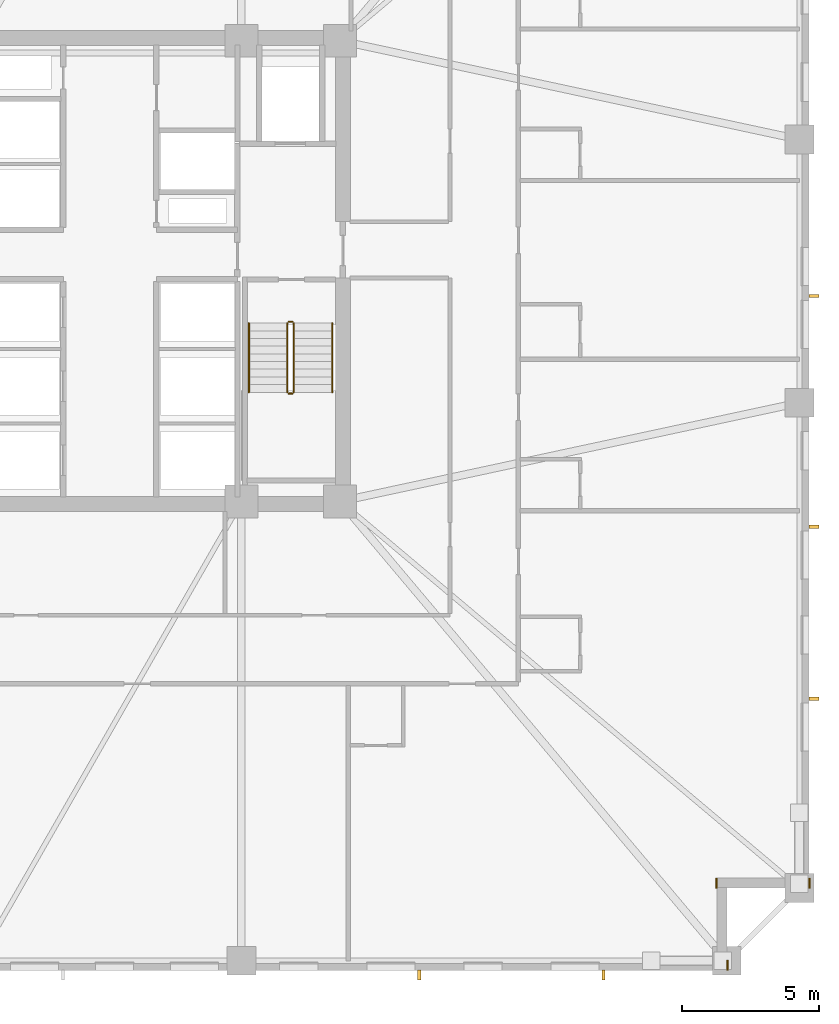
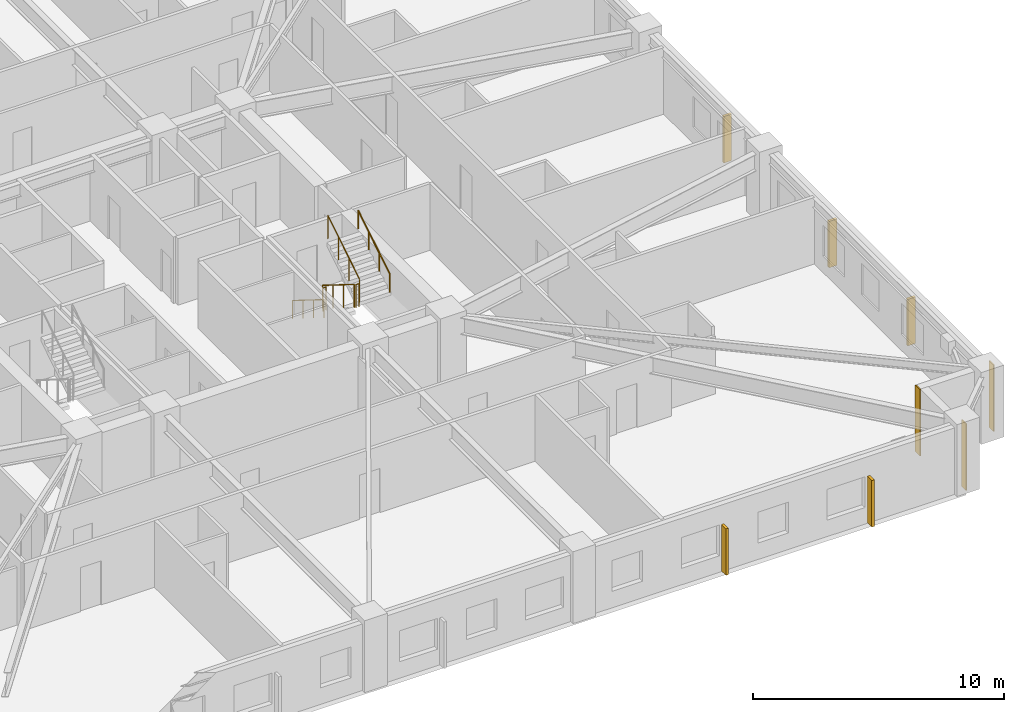
# One storey, part 9 of 11: 6 railings, 5 shading devices, 3 coverings.
"""IFC4 building model written with IfcOpenShell, lengths in metres."""

from ifc_helpers import new_model, si_unit, direction, frame, frame_2d, origin, origin_2d, place, context, subcontext, project, spatial, rectangle, circle, extrude, material, layer, layer_set, type_object, element, save


model = new_model("IFC4")

# Units and contexts
model_context = context("Model", 3, precision=1e-05, world=origin(), true_north=direction((0.0, 1.0)))
body_context = subcontext(model_context, "Body", "Model", "MODEL_VIEW")
ifc_project = project(units=[si_unit("LENGTHUNIT", "METRE"), si_unit("AREAUNIT", "SQUARE_METRE"), si_unit("VOLUMEUNIT", "CUBIC_METRE"), si_unit("PLANEANGLEUNIT", "RADIAN"), si_unit("MASSUNIT", "GRAM", prefix="KILO")], contexts=[model_context])

# Site, building, storey
site_placement = place(None, origin())
site = spatial("IfcSite", under=ifc_project, at=site_placement, CompositionType="ELEMENT")
building_placement = place(site_placement, origin())
building = spatial("IfcBuilding", under=site, at=building_placement, Name="Cairnveth Concourse Tower", CompositionType="ELEMENT")
storey_placement = place(building_placement, frame((0.0, 0.0, 93.5)))
storey = spatial("IfcBuildingStorey", under=building, at=storey_placement, Name="L25", CompositionType="ELEMENT", Elevation=93.5)

# Coverings
ifc_material_1 = material(Name="Dressed Melbourne Bluestone Cladding", Category="masonry")
ifc_layer = layer(ifc_material_1, 0.050048828125)
ifc_layer_set = layer_set([ifc_layer], Name="Dressed Melbourne Bluestone Cladding")
covering_type = type_object("IfcCoveringType", Name="DRESSED BLUESTONE PLINTH CLADDING 50", PredefinedType="CLADDING", material=ifc_layer_set)
for number, where, z_axis, x_axis, name in (
    (1, (77.52001953125, 16.860107421875, 0.0), (0.0, 0.0, 1.0), (0.0, -1.0, 0.0), "Melbourne Bluestone Corner Quoin L25-347"),
    (2, (74.1201171875, 16.860107421875, 0.0), (0.0, 0.0, 1.0), (0.0, -1.0, 0.0), "Melbourne Bluestone Corner Quoin L25-348"),
    (3, (74.52001953125, 13.860107421875, 0.0), (0.0, 0.0, 1.0), (0.0, -1.0, 0.0), "Melbourne Bluestone Corner Quoin L25-349"),
):
    element("IfcCovering", number, at=place(storey_placement, frame(where, z_axis=z_axis, x_axis=x_axis)), inside=storey, type_object=covering_type, Name=name, PredefinedType="CLADDING", context=body_context, shape_type="SweptSolid", body=[
        extrude(rectangle(XDim=0.360107421875, YDim=0.050048828125, at=frame_2d((0.18017578125, 0.0))), origin(), (0.0, 0.0, 1.0), 3.239990234375),
    ])

# Shading devices
ifc_material_2 = material(Name="Architectural Bronze Anodised Aluminium 6063-T6", Category="aluminium")
shading_device_type = type_object("IfcShadingDeviceType", Name="GOTHIC BRONZE VERTICAL LANCET FIN", PredefinedType="USERDEFINED", material=ifc_material_2)
for number, where, z_axis, x_axis, name in (
    (4, (77.675048828125, 38.09375, 0.0302734375), (0.0, 0.0, 1.0), (0.0, 1.0, 0.0), "Gothic Bronze Vertical Fin L25-3-7"),
    (5, (77.675048828125, 29.673583984375, 0.0302734375), (0.0, 0.0, 1.0), (0.0, 1.0, 0.0), "Gothic Bronze Vertical Fin L25-3-9"),
    (6, (77.675048828125, 23.403076171875, 0.0302734375), (0.0, 0.0, 1.0), (0.0, 1.0, 0.0), "Gothic Bronze Vertical Fin L25-3-11"),
    (7, (70.0048828125, 13.324951171875, 0.0302734375), (0.0, 0.0, 1.0), (1.0, 0.0, 0.0), "Gothic Bronze Vertical Fin L25-6-1"),
    (8, (63.284423828125, 13.324951171875, 0.0302734375), (0.0, 0.0, 1.0), (1.0, 0.0, 0.0), "Gothic Bronze Vertical Fin L25-6-3"),
):
    element("IfcShadingDevice", number, at=place(storey_placement, frame(where, z_axis=z_axis, x_axis=x_axis)), inside=storey, type_object=shading_device_type, Name=name, ObjectType="VERTICAL FIN", PredefinedType="USERDEFINED", context=body_context, shape_type="SweptSolid", body=[
        extrude(rectangle(XDim=0.1201171875, YDim=0.360107421875, at=origin_2d()), origin(), (0.0, 0.0, 1.0), 2.263916015625),
    ])

# Railings
ifc_material_3 = material(Name="Steel Grade 350", Category="steel")
railing_type_1 = type_object("IfcRailingType", Name="STAIR GUARDRAIL 1150", PredefinedType="GUARDRAIL", material=ifc_material_3)
railing_1_placement = place(storey_placement, frame((58.469970703125, 37.10009765625, 0.175048828125)))
element("IfcRailing", 9, at=railing_1_placement, inside=storey, type_object=railing_type_1, Name="L25 ST-2 stair guard 1", PredefinedType="GUARDRAIL", context=body_context, shape_type="SweptSolid", body=[
    extrude(circle(Radius=0.02392578125, at=origin_2d()), frame((0.0, 0.0, 1.1259765625), z_axis=(0.0, -0.848007534815, 0.529984170421), x_axis=(1.0, 0.0, 0.0)), (0.0, 0.0, 1.0), 2.9716796875),
    extrude(circle(Radius=0.02099609375, at=origin_2d()), origin(), (0.0, 0.0, 1.0), 1.101806640625),
    extrude(circle(Radius=0.02099609375, at=origin_2d()), frame((0.0, -0.840087890625, 0.52490234375)), (0.0, 0.0, 1.0), 1.101806640625),
    extrude(circle(Radius=0.02099609375, at=origin_2d()), frame((0.0, -1.679931640625, 1.050048828125)), (0.0, 0.0, 1.0), 1.101806640625),
    extrude(circle(Radius=0.02099609375, at=origin_2d()), frame((0.0, -2.52001953125, 1.574951171875)), (0.0, 0.0, 1.0), 1.101806640625),
])
railing_2_placement = place(storey_placement, frame((58.52001953125, 34.530029296875, 1.75)))
element("IfcRailing", 10, at=railing_2_placement, inside=storey, type_object=railing_type_1, Name="L25 ST-2 stair guard 2", PredefinedType="GUARDRAIL", context=body_context, shape_type="SweptSolid", body=[
    extrude(circle(Radius=0.02392578125, at=origin_2d()), frame((0.0, 0.0, 1.1259765625), z_axis=(1.0, 0.0, 0.0), x_axis=(0.0, 1.0, 0.0)), (0.0, 0.0, 1.0), 0.139892578125),
    extrude(circle(Radius=0.02099609375, at=origin_2d()), origin(), (0.0, 0.0, 1.0), 1.101806640625),
    extrude(circle(Radius=0.02099609375, at=origin_2d()), frame((0.139892578125, 0.0, 0.0)), (0.0, 0.0, 1.0), 1.101806640625),
])
railing_3_placement = place(storey_placement, frame((58.7099609375, 34.580078125, 1.925048828125)))
element("IfcRailing", 11, at=railing_3_placement, inside=storey, type_object=railing_type_1, Name="L25 ST-2 stair guard 3", PredefinedType="GUARDRAIL", context=body_context, shape_type="SweptSolid", body=[
    extrude(circle(Radius=0.02392578125, at=origin_2d()), frame((0.0, 0.0, 1.1259765625), z_axis=(0.0, 0.848007534815, 0.529984170421), x_axis=(-1.0, 0.0, 0.0)), (0.0, 0.0, 1.0), 2.9716796875),
    extrude(circle(Radius=0.02099609375, at=origin_2d()), origin(), (0.0, 0.0, 1.0), 1.101806640625),
    extrude(circle(Radius=0.02099609375, at=origin_2d()), frame((0.0, 0.840087890625, 0.52490234375)), (0.0, 0.0, 1.0), 1.101806640625),
    extrude(circle(Radius=0.02099609375, at=origin_2d()), frame((0.0, 1.679931640625, 1.050048828125)), (0.0, 0.0, 1.0), 1.101806640625),
    extrude(circle(Radius=0.02099609375, at=origin_2d()), frame((0.0, 2.52001953125, 1.574951171875)), (0.0, 0.0, 1.0), 1.101806640625),
])
railing_4_placement = place(storey_placement, frame((58.52001953125, 37.14990234375, 0.0)))
element("IfcRailing", 12, at=railing_4_placement, inside=storey, type_object=railing_type_1, Name="L25 ST-2 stair guard 4", PredefinedType="GUARDRAIL", context=body_context, shape_type="SweptSolid", body=[
    extrude(circle(Radius=0.02392578125, at=origin_2d()), frame((0.0, 0.0, 1.1259765625), z_axis=(1.0, 0.0, 0.0), x_axis=(0.0, 1.0, 0.0)), (0.0, 0.0, 1.0), 0.139892578125),
    extrude(circle(Radius=0.02099609375, at=origin_2d()), origin(), (0.0, 0.0, 1.0), 1.101806640625),
    extrude(circle(Radius=0.02099609375, at=origin_2d()), frame((0.139892578125, 0.0, 0.0)), (0.0, 0.0, 1.0), 1.101806640625),
])
railing_type_2 = type_object("IfcRailingType", Name="STAIR WALL HANDRAIL 900", PredefinedType="HANDRAIL", material=ifc_material_3)
railing_5_placement = place(storey_placement, frame((57.070068359375, 37.10009765625, 0.175048828125)))
element("IfcRailing", 13, at=railing_5_placement, inside=storey, type_object=railing_type_2, Name="L25 ST-2 stair handrail 1", PredefinedType="HANDRAIL", context=body_context, shape_type="SweptSolid", body=[
    extrude(circle(Radius=0.02392578125, at=origin_2d()), frame((0.0, 0.0, 0.8759765625), z_axis=(0.0, -0.848007534815, 0.529984170421), x_axis=(1.0, 0.0, 0.0)), (0.0, 0.0, 1.0), 2.9716796875),
    extrude(circle(Radius=0.02099609375, at=origin_2d()), origin(), (0.0, 0.0, 1.0), 0.851806640625),
    extrude(circle(Radius=0.02099609375, at=origin_2d()), frame((0.0, -0.840087890625, 0.52490234375)), (0.0, 0.0, 1.0), 0.851806640625),
    extrude(circle(Radius=0.02099609375, at=origin_2d()), frame((0.0, -1.679931640625, 1.050048828125)), (0.0, 0.0, 1.0), 0.851806640625),
    extrude(circle(Radius=0.02099609375, at=origin_2d()), frame((0.0, -2.52001953125, 1.574951171875)), (0.0, 0.0, 1.0), 0.851806640625),
])
railing_6_placement = place(storey_placement, frame((60.110107421875, 34.580078125, 1.925048828125)))
element("IfcRailing", 14, at=railing_6_placement, inside=storey, type_object=railing_type_2, Name="L25 ST-2 stair handrail 2", PredefinedType="HANDRAIL", context=body_context, shape_type="SweptSolid", body=[
    extrude(circle(Radius=0.02392578125, at=origin_2d()), frame((0.0, 0.0, 0.8759765625), z_axis=(0.0, 0.848007534815, 0.529984170421), x_axis=(-1.0, 0.0, 0.0)), (0.0, 0.0, 1.0), 2.9716796875),
    extrude(circle(Radius=0.02099609375, at=origin_2d()), origin(), (0.0, 0.0, 1.0), 0.851806640625),
    extrude(circle(Radius=0.02099609375, at=origin_2d()), frame((0.0, 0.840087890625, 0.52490234375)), (0.0, 0.0, 1.0), 0.851806640625),
    extrude(circle(Radius=0.02099609375, at=origin_2d()), frame((0.0, 1.679931640625, 1.050048828125)), (0.0, 0.0, 1.0), 0.851806640625),
    extrude(circle(Radius=0.02099609375, at=origin_2d()), frame((0.0, 2.52001953125, 1.574951171875)), (0.0, 0.0, 1.0), 0.851806640625),
])

save(model, "model.ifc")
